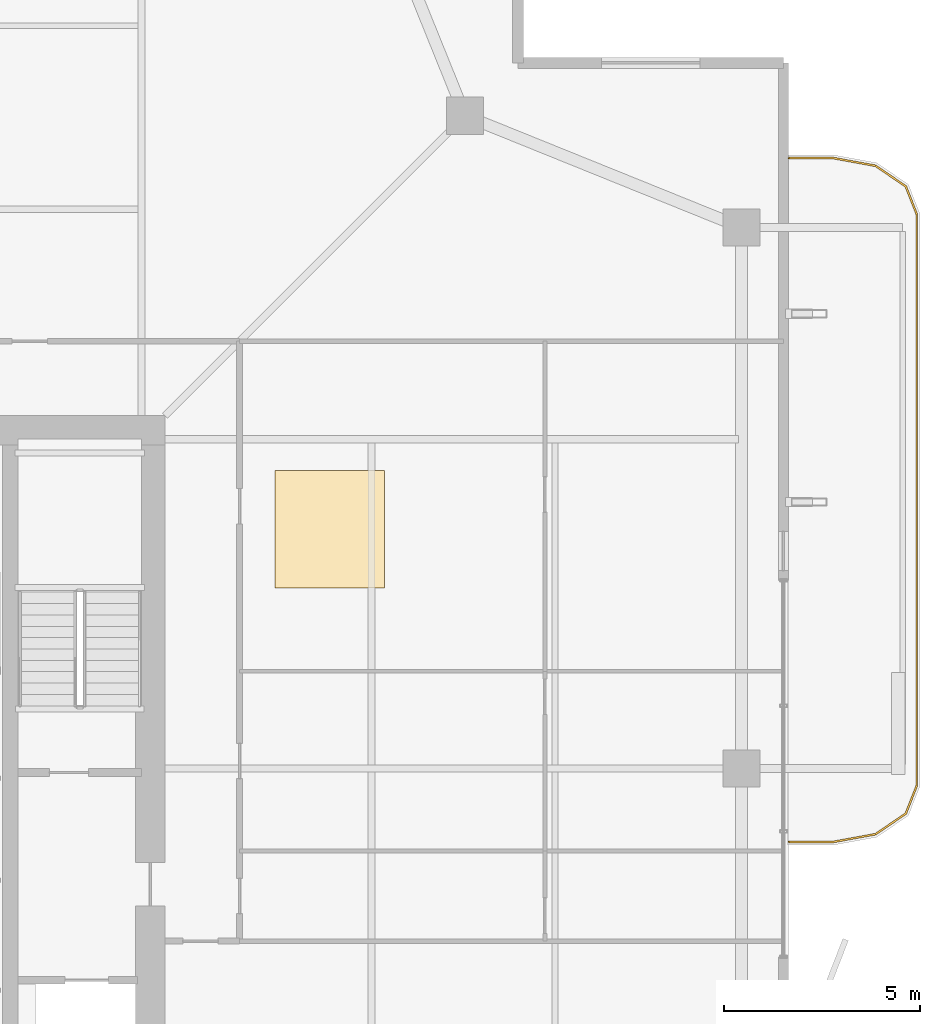
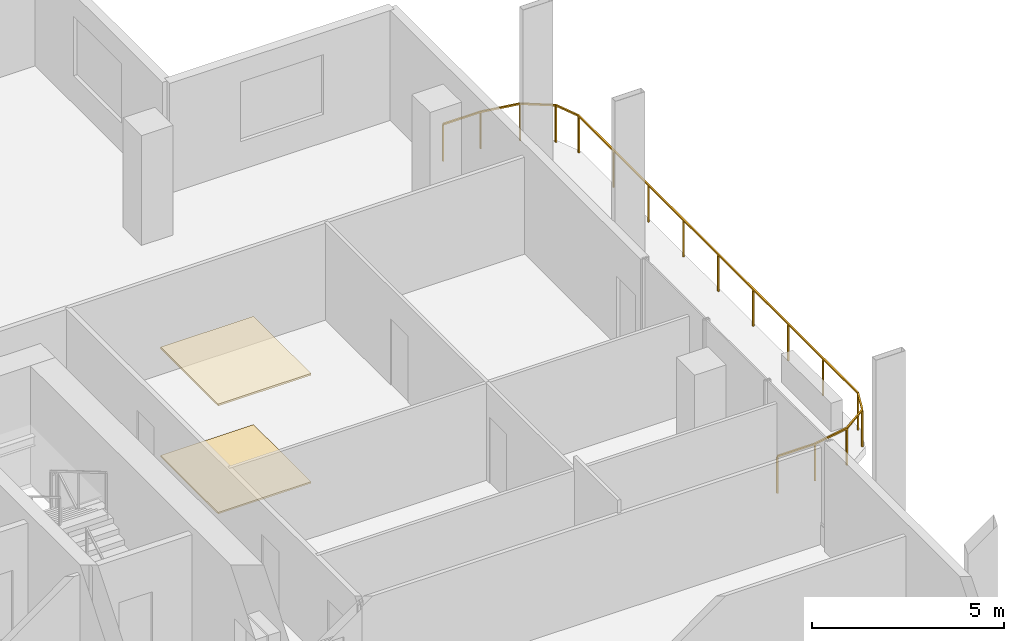
# One storey, part 25 of 25: 2 coverings, 1 railing.
"""IFC4 building model written with IfcOpenShell, lengths in metres."""

import ifcopenshell
import ifcopenshell.guid

model = None  # the IFC model being written
_history = None  # IfcOwnerHistory: only IFC2X3 demands one
_inside = {}  # id of a spatial element -> (the spatial element, [elements in it])
_under = {}  # id of a project, library or spatial element -> (it, [spatial elements below it])
_declared = {}  # id of a project -> (the project, [libraries it declares])
_typed = {}  # id of a type object -> (the type object, [elements of that type])
_made_of = {}  # id of a material, layer set ... -> (it, [elements and type objects made of it])


def new_model(schema):
    """Start an empty IFC model of exactly this schema.

    Asked for "IFC4X3", IfcOpenShell would pick the latest addendum, in which some entities
    have other attributes; the version numbers below select the first issue.
    IFC2X3 requires an IfcOwnerHistory on every rooted entity: one is made here for all.
    """
    global model, _history
    if schema == "IFC4X3":
        model = ifcopenshell.file(schema_version=(4, 3, 0, 0))
    else:
        model = ifcopenshell.file(schema=schema)
    _inside.clear()
    _under.clear()
    _declared.clear()
    _typed.clear()
    _made_of.clear()
    _history = None
    if model.schema == "IFC2X3":
        org = make("IfcOrganization", Name="unknown")
        user = make(
            "IfcPersonAndOrganization",
            ThePerson=make("IfcPerson", FamilyName="unknown"),
            TheOrganization=org,
        )
        app = make(
            "IfcApplication",
            ApplicationDeveloper=org,
            Version="unknown",
            ApplicationFullName="unknown",
            ApplicationIdentifier="unknown",
        )
        _history = make(
            "IfcOwnerHistory",
            OwningUser=user,
            OwningApplication=app,
            ChangeAction="ADDED",
            CreationDate=0,
        )
    return model


def make(cls, **values):
    """One entity of the class cls with the attributes given. An attribute that is None is left unset."""
    return model.create_entity(
        cls, **{name: value for name, value in values.items() if value is not None}
    )


def rooted(cls, **values):
    """An entity with a GlobalId (a new one), such as an element, a storey or a relation."""
    return make(cls, GlobalId=ifcopenshell.guid.new(), OwnerHistory=_history, **values)


def si_unit(unit_type, name, prefix=None):
    """IfcSIUnit, for example si_unit("LENGTHUNIT", "METRE", prefix="MILLI")."""
    return make("IfcSIUnit", UnitType=unit_type, Prefix=prefix, Name=name)


def assignment(units):
    """IfcUnitAssignment: the units of a project."""
    return None if units is None else make("IfcUnitAssignment", Units=units)


def point(xyz):
    """IfcCartesianPoint."""
    return None if xyz is None else make("IfcCartesianPoint", Coordinates=xyz)


def direction(xyz):
    """IfcDirection."""
    return None if xyz is None else make("IfcDirection", DirectionRatios=xyz)


def frame(location, z_axis=None, x_axis=None):
    """IfcAxis2Placement3D, a coordinate frame: its origin and axes. An axis left out is left unset."""
    return make(
        "IfcAxis2Placement3D",
        Location=point(location),
        Axis=direction(z_axis),
        RefDirection=direction(x_axis),
    )


def frame_2d(location, x_axis=None):
    """IfcAxis2Placement2D, a coordinate frame in the plane: its origin and x axis."""
    return make(
        "IfcAxis2Placement2D", Location=point(location), RefDirection=direction(x_axis)
    )


def origin():
    """The frame at (0, 0, 0) with its axes left unset."""
    return frame((0.0, 0.0, 0.0))


def origin_2d():
    """The frame at (0, 0) in the plane with its x axis left unset."""
    return frame_2d((0.0, 0.0))


def place(relative_to, where):
    """IfcLocalPlacement: puts the frame where relative to a parent placement (None: the world)."""
    return make(
        "IfcLocalPlacement", PlacementRelTo=relative_to, RelativePlacement=where
    )


def context(
    kind, dimensions, precision=None, world=None, true_north=None, identifier=None
):
    """IfcGeometricRepresentationContext, for example the 3D "Model" context."""
    return make(
        "IfcGeometricRepresentationContext",
        ContextIdentifier=identifier,
        ContextType=kind,
        CoordinateSpaceDimension=dimensions,
        Precision=precision,
        WorldCoordinateSystem=world,
        TrueNorth=true_north,
    )


def subcontext(parent, identifier, kind, view, scale=None):
    """IfcGeometricRepresentationSubContext, for example "Body" below "Model"."""
    return make(
        "IfcGeometricRepresentationSubContext",
        ContextIdentifier=identifier,
        ContextType=kind,
        ParentContext=parent,
        TargetScale=scale,
        TargetView=view,
    )


def project(units=None, contexts=None):
    """IfcProject with its units and contexts."""
    return rooted(
        "IfcProject",
        Name="project",
        RepresentationContexts=contexts,
        UnitsInContext=assignment(units),
    )


def spatial(cls, under=None, at=None, **own):
    """A site, building, storey or space (cls), placed at a placement, below another one or the project."""
    s = rooted(cls, ObjectPlacement=at, **own)
    if under is not None:
        _under.setdefault(under.id(), (under, []))[1].append(s)
    return s


def polyline(points):
    """IfcPolyline through the points."""
    return make("IfcPolyline", Points=[point(p) for p in points])


def profile(cls, at=None, kind="AREA", **sizes):
    """A parametric profile (cls). Its sizes go by their IFC names, for example OverallWidth=200.0."""
    return make(cls, ProfileType=kind, Position=at, **sizes)


def rectangle(**sizes):
    """IfcRectangleProfileDef."""
    return profile("IfcRectangleProfileDef", **sizes)


def outline(outer, holes=None, kind="AREA"):
    """IfcArbitraryClosedProfileDef: a profile drawn as a closed curve; with holes, ...WithVoids."""
    if holes is None:
        return make("IfcArbitraryClosedProfileDef", ProfileType=kind, OuterCurve=outer)
    return make(
        "IfcArbitraryProfileDefWithVoids",
        ProfileType=kind,
        OuterCurve=outer,
        InnerCurves=holes,
    )


def extrude(swept, where, along, depth):
    """IfcExtrudedAreaSolid: the profile swept, set in the frame where, extruded along a direction by depth."""
    return make(
        "IfcExtrudedAreaSolid",
        SweptArea=swept,
        Position=where,
        ExtrudedDirection=direction(along),
        Depth=depth,
    )


def shape(context_of_items, identifier, shape_type, items):
    """IfcShapeRepresentation: the items that make up one representation, for example the "Body"."""
    return make(
        "IfcShapeRepresentation",
        ContextOfItems=context_of_items,
        RepresentationIdentifier=identifier,
        RepresentationType=shape_type,
        Items=items,
    )


def material(Name=None, Category=None):
    """IfcMaterial."""
    return make("IfcMaterial", Name=Name, Category=Category)


def layer(
    of_material, thickness, ventilated=None, Name=None, Category=None, Priority=None
):
    """IfcMaterialLayer: one layer of a wall or slab, of a material (None: an air gap)."""
    return make(
        "IfcMaterialLayer",
        Material=of_material,
        LayerThickness=thickness,
        IsVentilated=ventilated,
        Name=Name,
        Category=Category,
        Priority=Priority,
    )


def layer_set(layers, Name=None):
    """IfcMaterialLayerSet."""
    return make("IfcMaterialLayerSet", MaterialLayers=layers, LayerSetName=Name)


def made_of(thing, what):
    """Note that an element or type object is made of a material, layer set ...; save() writes the relation."""
    if what is not None:
        _made_of.setdefault(what.id(), (what, []))[1].append(thing)
    return thing


def type_object(cls, material=None, **own):
    """A type object (cls), such as IfcWallType, which elements share."""
    return made_of(rooted(cls, **own), material)


def element(
    cls,
    number,
    at=None,
    inside=None,
    cuts=None,
    type_object=None,
    material=None,
    context=None,
    identifier="Body",
    shape_type=None,
    held_by="IfcProductDefinitionShape",
    body=None,
    shapes=None,
    **own,
):
    """One element of the class cls, such as IfcWall. Its Tag is "e" and its number.

    at: its placement. inside: the storey or other place that contains it. cuts: it is an
    opening in that element (IfcRelVoidsElement). A single representation is given by context,
    identifier, shape_type and body (its items); several are given by shapes. held_by: the class
    of the entity that holds the representations. save() writes the other relations.
    """
    e = rooted(cls, Tag="e%d" % number, ObjectPlacement=at, **own)
    if body is not None:
        shapes = [shape(context, identifier, shape_type, body)]
    if shapes is not None:
        e.Representation = make(held_by, Representations=shapes)
    if inside is not None:
        _inside.setdefault(inside.id(), (inside, []))[1].append(e)
    if cuts is not None:
        rooted(
            "IfcRelVoidsElement", RelatingBuildingElement=cuts, RelatedOpeningElement=e
        )
    if type_object is not None:
        _typed.setdefault(type_object.id(), (type_object, []))[1].append(e)
    return made_of(e, material)


def aggregate(whole, parts):
    """IfcRelAggregates: a whole, such as a stair, and the parts it consists of."""
    return rooted("IfcRelAggregates", RelatingObject=whole, RelatedObjects=parts)


def save(model, path):
    """Write the relations noted so far, then the file.

    IfcRelAggregates (storeys below a building ...), IfcRelContainedInSpatialStructure (elements
    in a storey), IfcRelDefinesByType, IfcRelAssociatesMaterial and IfcRelDeclares: one each for
    every whole, place, type object, material and project.
    """
    for whole, parts in _under.values():
        aggregate(whole, parts)
    for where, things in _inside.values():
        rooted(
            "IfcRelContainedInSpatialStructure",
            RelatedElements=things,
            RelatingStructure=where,
        )
    for kind, things in _typed.values():
        rooted("IfcRelDefinesByType", RelatedObjects=things, RelatingType=kind)
    for what, things in _made_of.values():
        rooted("IfcRelAssociatesMaterial", RelatedObjects=things, RelatingMaterial=what)
    for by, libraries in _declared.values():
        rooted("IfcRelDeclares", RelatingContext=by, RelatedDefinitions=libraries)
    model.write(path)


model = new_model("IFC4")

# Units and contexts
model_context = context("Model", 3, precision=1e-05, world=origin(), true_north=direction((0.0, 1.0)))
body_context = subcontext(model_context, "Body", "Model", "MODEL_VIEW")
ifc_project = project(units=[si_unit("LENGTHUNIT", "METRE"), si_unit("AREAUNIT", "SQUARE_METRE"), si_unit("VOLUMEUNIT", "CUBIC_METRE"), si_unit("PLANEANGLEUNIT", "RADIAN"), si_unit("MASSUNIT", "GRAM", prefix="KILO")], contexts=[model_context])

# Site, building, storey
site_placement = place(None, origin())
site = spatial("IfcSite", under=ifc_project, at=site_placement, CompositionType="ELEMENT")
building_placement = place(site_placement, origin())
building = spatial("IfcBuilding", under=site, at=building_placement, Name="Belovzor Exchange Tower", CompositionType="ELEMENT")
storey_placement = place(building_placement, frame((0.0, 0.0, 250.35009765625)))
storey = spatial("IfcBuildingStorey", under=building, at=storey_placement, Name="L62", CompositionType="ELEMENT", Elevation=250.35009765625)

# Railing
ifc_material_1 = material(Name="Stainless Steel and Laminated Safety Glass", Category="steel")
railing_type = type_object("IfcRailingType", Name="Laminated Glass & Stainless Steel Balcony Balustrade 1200", PredefinedType="BALUSTRADE", material=ifc_material_1)
railing_placement = place(storey_placement, frame((53.7099609375, 26.929931640625, 0.0)))
element("IfcRailing", 1, at=railing_placement, inside=storey, type_object=railing_type, Name="GR-1 Balcony Balustrade L62 East", PredefinedType="BALUSTRADE", context=body_context, shape_type="SweptSolid", body=[
    extrude(rectangle(XDim=0.048095703125, YDim=0.048095703125, at=origin_2d()), frame((0.0, 0.0, 1.17578125), z_axis=(1.0, 0.0, 0.0), x_axis=(0.0, 1.0, 0.0)), (0.0, 0.0, 1.0), 1.133056640625),
    extrude(rectangle(XDim=0.048095703125, YDim=0.048095703125, at=origin_2d()), frame((1.133056640625, 0.0, 1.17578125), z_axis=(0.983644145941, 0.180122719713, 0.0), x_axis=(-0.180122719713, 0.983644145941, 0.0)), (0.0, 0.0, 1.0), 1.09375),
    extrude(rectangle(XDim=0.048095703125, YDim=0.048095703125, at=origin_2d()), frame((2.208984375, 0.197021484375, 1.17578125), z_axis=(0.826493025367, 0.56294695933, 0.0), x_axis=(-0.56294695933, 0.826493025367, 0.0)), (0.0, 0.0, 1.0), 0.932861328125),
    extrude(rectangle(XDim=0.048095703125, YDim=0.048095703125, at=origin_2d()), frame((2.97998046875, 0.72216796875, 1.17578125), z_axis=(0.365612923861, 0.930766990125, 0.0), x_axis=(-0.930766990125, 0.365612923861, 0.0)), (0.0, 0.0, 1.0), 0.765869140625),
    extrude(rectangle(XDim=0.048095703125, YDim=0.048095703125, at=origin_2d()), frame((3.260009765625, 1.43505859375, 1.17578125), z_axis=(0.0, 1.0, 0.0), x_axis=(-1.0, 0.0, 0.0)), (0.0, 0.0, 1.0), 14.570068359375),
    extrude(rectangle(XDim=0.048095703125, YDim=0.048095703125, at=origin_2d()), frame((3.260009765625, 16.005126953125, 1.17578125), z_axis=(-0.365612923861, 0.930766990125, 0.0), x_axis=(-0.930766990125, -0.365612923861, 0.0)), (0.0, 0.0, 1.0), 0.765869140625),
    extrude(rectangle(XDim=0.048095703125, YDim=0.048095703125, at=origin_2d()), frame((2.97998046875, 16.718017578125, 1.17578125), z_axis=(-0.826493025367, 0.56294695933, 0.0), x_axis=(-0.56294695933, -0.826493025367, 0.0)), (0.0, 0.0, 1.0), 0.932861328125),
    extrude(rectangle(XDim=0.048095703125, YDim=0.048095703125, at=origin_2d()), frame((2.208984375, 17.2431640625, 1.17578125), z_axis=(-0.983644145941, 0.180122719713, 0.0), x_axis=(-0.180122719713, -0.983644145941, 0.0)), (0.0, 0.0, 1.0), 1.09375),
    extrude(rectangle(XDim=0.048095703125, YDim=0.048095703125, at=origin_2d()), frame((1.133056640625, 17.440185546875, 1.17578125), z_axis=(-1.0, 0.0, 0.0), x_axis=(0.0, -1.0, 0.0)), (0.0, 0.0, 1.0), 1.133056640625),
    extrude(rectangle(XDim=0.0419921875, YDim=0.0419921875, at=origin_2d()), origin(), (0.0, 0.0, 1.0), 1.15185546875),
    extrude(rectangle(XDim=0.0419921875, YDim=0.0419921875, at=origin_2d()), frame((1.133056640625, 0.0, 0.0)), (0.0, 0.0, 1.0), 1.15185546875),
    extrude(rectangle(XDim=0.0419921875, YDim=0.0419921875, at=origin_2d()), frame((2.208984375, 0.197021484375, 0.0)), (0.0, 0.0, 1.0), 1.15185546875),
    extrude(rectangle(XDim=0.0419921875, YDim=0.0419921875, at=origin_2d()), frame((2.97998046875, 0.72216796875, 0.0)), (0.0, 0.0, 1.0), 1.15185546875),
    extrude(rectangle(XDim=0.0419921875, YDim=0.0419921875, at=origin_2d()), frame((3.260009765625, 1.43505859375, 0.0)), (0.0, 0.0, 1.0), 1.15185546875),
    extrude(rectangle(XDim=0.0419921875, YDim=0.0419921875, at=origin_2d()), frame((3.260009765625, 3.25634765625, 0.0)), (0.0, 0.0, 1.0), 1.15185546875),
    extrude(rectangle(XDim=0.0419921875, YDim=0.0419921875, at=origin_2d()), frame((3.260009765625, 5.07763671875, 0.0)), (0.0, 0.0, 1.0), 1.15185546875),
    extrude(rectangle(XDim=0.0419921875, YDim=0.0419921875, at=origin_2d()), frame((3.260009765625, 6.89892578125, 0.0)), (0.0, 0.0, 1.0), 1.15185546875),
    extrude(rectangle(XDim=0.0419921875, YDim=0.0419921875, at=origin_2d()), frame((3.260009765625, 8.72021484375, 0.0)), (0.0, 0.0, 1.0), 1.15185546875),
    extrude(rectangle(XDim=0.0419921875, YDim=0.0419921875, at=origin_2d()), frame((3.260009765625, 10.541259765625, 0.0)), (0.0, 0.0, 1.0), 1.15185546875),
    extrude(rectangle(XDim=0.0419921875, YDim=0.0419921875, at=origin_2d()), frame((3.260009765625, 12.362548828125, 0.0)), (0.0, 0.0, 1.0), 1.15185546875),
    extrude(rectangle(XDim=0.0419921875, YDim=0.0419921875, at=origin_2d()), frame((3.260009765625, 14.183837890625, 0.0)), (0.0, 0.0, 1.0), 1.15185546875),
    extrude(rectangle(XDim=0.0419921875, YDim=0.0419921875, at=origin_2d()), frame((3.260009765625, 16.005126953125, 0.0)), (0.0, 0.0, 1.0), 1.15185546875),
    extrude(rectangle(XDim=0.0419921875, YDim=0.0419921875, at=origin_2d()), frame((2.97998046875, 16.718017578125, 0.0)), (0.0, 0.0, 1.0), 1.15185546875),
    extrude(rectangle(XDim=0.0419921875, YDim=0.0419921875, at=origin_2d()), frame((2.208984375, 17.2431640625, 0.0)), (0.0, 0.0, 1.0), 1.15185546875),
    extrude(rectangle(XDim=0.0419921875, YDim=0.0419921875, at=origin_2d()), frame((1.133056640625, 17.440185546875, 0.0)), (0.0, 0.0, 1.0), 1.15185546875),
    extrude(rectangle(XDim=0.0419921875, YDim=0.0419921875, at=origin_2d()), frame((0.0, 17.440185546875, 0.0)), (0.0, 0.0, 1.0), 1.15185546875),
])

# Coverings
ifc_material_2 = material(Name="Perforated Powder-Coated Aluminium", Category="aluminium")
ifc_layer_1 = layer(ifc_material_2, 0.06005859375)
ifc_layer_set_1 = layer_set([ifc_layer_1], Name="Perforated Powder-Coated Aluminium")
covering_type_1 = type_object("IfcCoveringType", Name="Perforated Acoustic Metal Tile Suspended Ceiling 60", PredefinedType="CEILING", material=ifc_layer_set_1)
covering_1_placement = place(storey_placement, frame((0.0, 0.0, 3.43994140625)))
element("IfcCovering", 2, at=covering_1_placement, inside=storey, type_object=covering_type_1, Name="CLG-AC60 Suspended Ceiling CLG-L62-Z2", PredefinedType="CEILING", context=body_context, shape_type="SweptSolid", body=[
    extrude(outline(polyline([(40.60009765625, 33.39990234375), (43.39990234375, 33.39990234375), (43.39990234375, 36.39990234375), (40.60009765625, 36.39990234375), (40.60009765625, 33.39990234375)])), origin(), (0.0, 0.0, 1.0), 0.06005859375),
])
ifc_material_3 = material(Name="Polished Natural Granite Tile", Category="masonry")
ifc_layer_2 = layer(ifc_material_3, 0.050048828125)
ifc_layer_set_2 = layer_set([ifc_layer_2], Name="Polished Natural Granite Tile")
covering_type_2 = type_object("IfcCoveringType", Name="Polished Karelian Granite & Raised Access Floor Finish 50", PredefinedType="FLOORING", material=ifc_layer_set_2)
covering_2_placement = place(storey_placement, origin())
element("IfcCovering", 3, at=covering_2_placement, inside=storey, type_object=covering_type_2, Name="FLR-GR50 Floor Finish FLR-L62-Z2", PredefinedType="FLOORING", context=body_context, shape_type="SweptSolid", body=[
    extrude(outline(polyline([(40.60009765625, 33.39990234375), (43.39990234375, 33.39990234375), (43.39990234375, 36.39990234375), (40.60009765625, 36.39990234375), (40.60009765625, 33.39990234375)])), origin(), (0.0, 0.0, 1.0), 0.0498046875),
])

save(model, "model.ifc")
